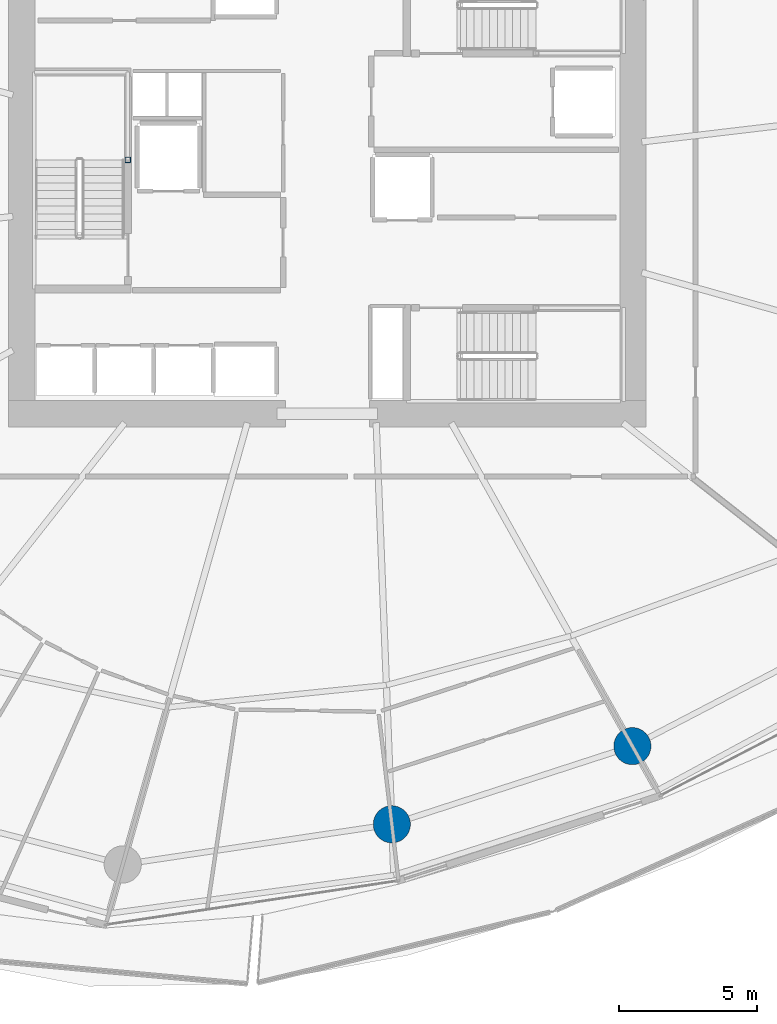
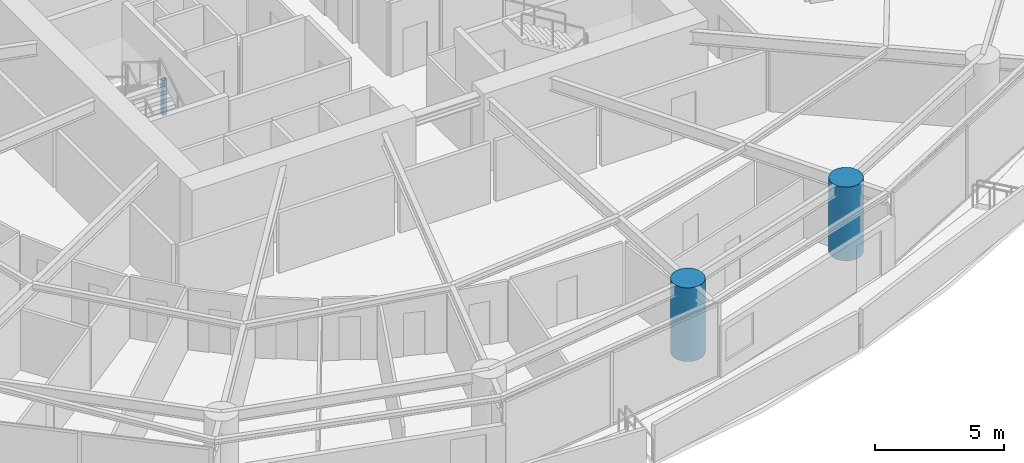
# One storey, part 2 of 31: 3 columns.
"""IFC4 building model written with IfcOpenShell, lengths in metres."""

from ifc_helpers import new_model, si_unit, direction, frame, origin, origin_2d, place, context, subcontext, project, spatial, hollow_rectangle, circle, extrude, material, material_profile, profile_set, type_object, element, save


model = new_model("IFC4")

# Units and contexts
model_context = context("Model", 3, precision=1e-05, world=origin(), true_north=direction((0.0, 1.0)))
body_context = subcontext(model_context, "Body", "Model", "MODEL_VIEW")
ifc_project = project(units=[si_unit("LENGTHUNIT", "METRE"), si_unit("AREAUNIT", "SQUARE_METRE"), si_unit("VOLUMEUNIT", "CUBIC_METRE"), si_unit("PLANEANGLEUNIT", "RADIAN"), si_unit("MASSUNIT", "GRAM", prefix="KILO")], contexts=[model_context])

# Site, building, storey
site_placement = place(None, origin())
site = spatial("IfcSite", under=ifc_project, at=site_placement, CompositionType="ELEMENT")
building_placement = place(site_placement, origin())
building = spatial("IfcBuilding", under=site, at=building_placement, Name="Kazma Halo Residences", CompositionType="ELEMENT")
storey_placement = place(building_placement, frame((0.0, 0.0, 45.14990234375)))
storey = spatial("IfcBuildingStorey", under=building, at=storey_placement, Name="L10", CompositionType="ELEMENT", Elevation=45.14990234375)

# Columns
ifc_material_1 = material(Name="Steel S355", Category="steel")
ifc_material_profile_1 = material_profile(ifc_material_1, hollow_rectangle(XDim=0.199951171875, YDim=0.199951171875, WallThickness=0.010009765625, InnerFilletRadius=0.010009765625, OuterFilletRadius=0.02001953125, at=origin_2d()), Name="SHS200x200x10")
ifc_profile_set_1 = profile_set([ifc_material_profile_1], Name="Steel S355")
column_type_1 = type_object("IfcColumnType", Name="COL-LP-SHS200", PredefinedType="COLUMN", material=ifc_profile_set_1)
column_placement = place(storey_placement, frame((41.179931640625, 42.75, 0.0), z_axis=(0.0, 0.0, 1.0), x_axis=(1.0, 0.0, 0.0)))
element("IfcColumn", 1, at=column_placement, inside=storey, type_object=column_type_1, Name="L10 ST-01 landing pilaster 1", PredefinedType="COLUMN", context=body_context, shape_type="SweptSolid", body=[
    extrude(hollow_rectangle(XDim=0.199951171875, YDim=0.199951171875, WallThickness=0.010009765625, InnerFilletRadius=0.010009765625, OuterFilletRadius=0.02001953125, at=origin_2d()), origin(), (0.0, 0.0, 1.0), 1.670166015625),
])
ifc_material_2 = material(Name="Concrete C80/95", Category="concrete")
ifc_material_profile_2 = material_profile(ifc_material_2, circle(Radius=0.675048828125, at=origin_2d()), Name="CIRC1350")
ifc_profile_set_2 = profile_set([ifc_material_profile_2], Name="Concrete C80/95")
column_type_2 = type_object("IfcColumnType", Name="COL-PERIM-1350", PredefinedType="COLUMN", material=ifc_profile_set_2)
for number, where, z_axis, x_axis, name in (
    (2, (50.768310546875, 18.610595703125, 0.0), (0.0, 0.0, 1.0), (1.0, 0.0, 0.0), "L10 perimeter ring column P12"),
    (3, (59.50830078125, 21.450439453125, 0.0), (0.0, 0.0, 1.0), (1.0, 0.0, 0.0), "L10 perimeter ring column P13"),
):
    element("IfcColumn", number, at=place(storey_placement, frame(where, z_axis=z_axis, x_axis=x_axis)), inside=storey, type_object=column_type_2, Name=name, PredefinedType="COLUMN", context=body_context, shape_type="SweptSolid", body=[
        extrude(circle(Radius=0.675048828125, at=origin_2d()), origin(), (0.0, 0.0, 1.0), 3.5),
    ])

save(model, "model.ifc")
